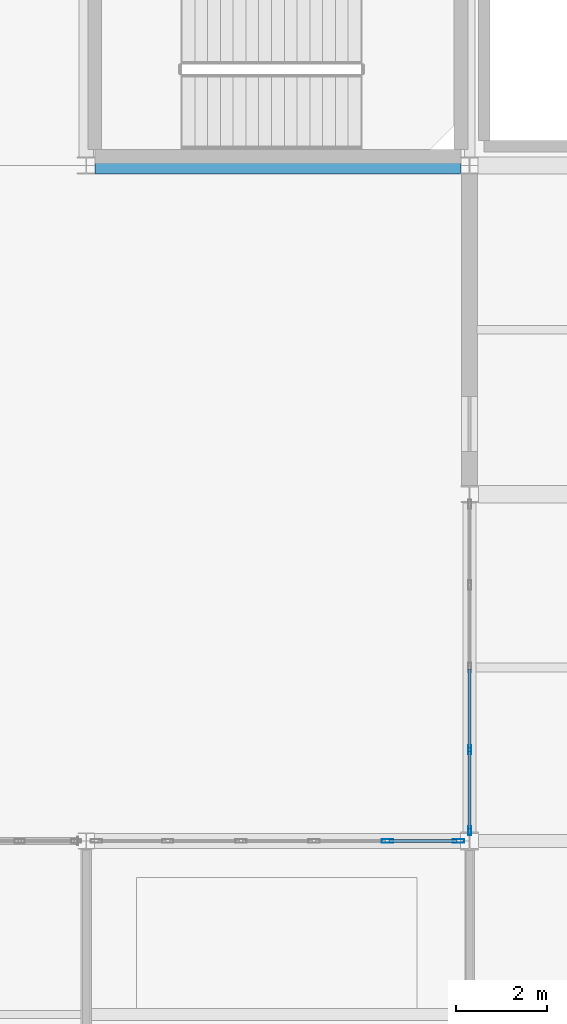
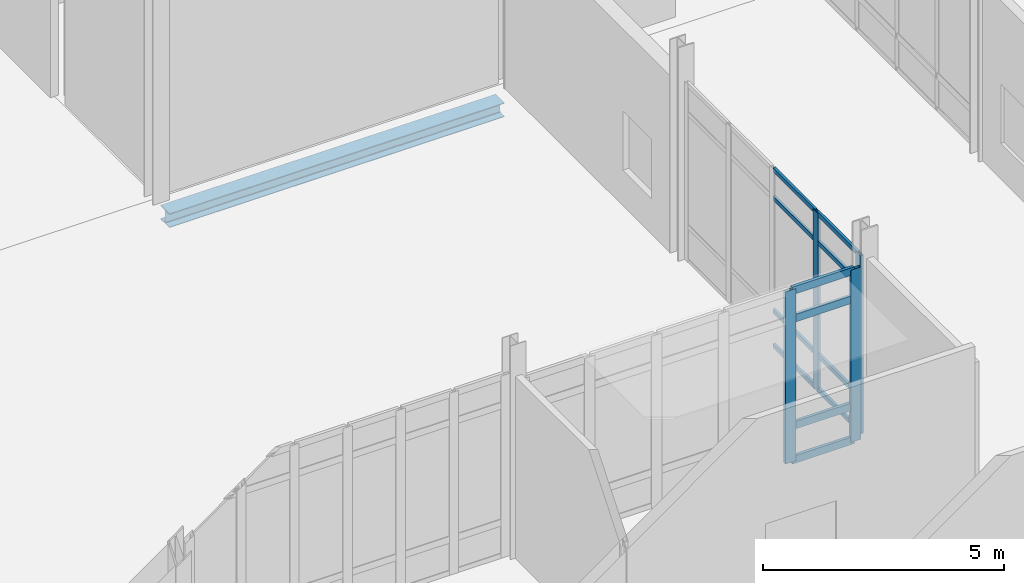
# One storey, part 106 of 229: 16 members, 1 beam, 2 elements without a shape of their own.
"""IFC4 building model written with IfcOpenShell, lengths in metres."""

from ifc_helpers import new_model, si_unit, direction, frame, origin, origin_2d, place, context, subcontext, project, spatial, hollow_rectangle, i_section, extrude, material, layer, layer_set, material_profile, profile_set, type_object, element, aggregate, save


model = new_model("IFC4")

# Units and contexts
model_context = context("Model", 3, precision=1e-05, world=origin(), true_north=direction((0.0, 1.0)))
body_context = subcontext(model_context, "Body", "Model", "MODEL_VIEW")
ifc_project = project(units=[si_unit("LENGTHUNIT", "METRE"), si_unit("AREAUNIT", "SQUARE_METRE"), si_unit("VOLUMEUNIT", "CUBIC_METRE"), si_unit("PLANEANGLEUNIT", "RADIAN"), si_unit("MASSUNIT", "GRAM", prefix="KILO")], contexts=[model_context])

# Site, building, storey
site_placement = place(None, origin())
site = spatial("IfcSite", under=ifc_project, at=site_placement, CompositionType="ELEMENT")
building_placement = place(site_placement, origin())
building = spatial("IfcBuilding", under=site, at=building_placement, Name="Calvrana Isthmian Art Gallery", CompositionType="ELEMENT")
storey_placement = place(building_placement, origin())
storey = spatial("IfcBuildingStorey", under=building, at=storey_placement, Name="L00", CompositionType="ELEMENT", Elevation=0.0)

# Beam
ifc_material_1 = material(Name="Steel ASTM A992 Gr 50", Category="steel")
ifc_material_profile_1 = material_profile(ifc_material_1, i_section(OverallWidth=0.367919921875, OverallDepth=0.35595703125, WebThickness=0.01123046875, FlangeThickness=0.01806640625, FilletRadius=0.02490234375, at=origin_2d()), Name="W14X90")
ifc_profile_set_1 = profile_set([ifc_material_profile_1], Name="Steel ASTM A992 Gr 50")
beam_type = type_object("IfcBeamType", Name="BM-SP-W14X90", PredefinedType="SPANDREL", material=ifc_profile_set_1)
beam_placement = place(storey_placement, frame((104.596923828125, 76.800048828125, -0.532958984375), z_axis=(1.0, 0.0, 0.0), x_axis=(0.0, 1.0, 0.0)))
element("IfcBeam", 1, at=beam_placement, inside=storey, type_object=beam_type, Name="Girder X L00 14-15/K", PredefinedType="SPANDREL", context=body_context, shape_type="SweptSolid", body=[
    extrude(i_section(OverallWidth=0.367919921875, OverallDepth=0.35595703125, WebThickness=0.01123046875, FlangeThickness=0.01806640625, FilletRadius=0.02490234375, at=origin_2d()), origin(), (0.0, 0.0, 1.0), 8.0166015625),
])

# Curtain wall, members
ifc_material_2 = material(Name="Anodized bronze aluminium 6063-T6", Category="aluminium")
ifc_layer_1 = layer(ifc_material_2, 0.179931640625, Name="Anodized bronze aluminium 6063-T6")
ifc_layer_set_1 = layer_set([ifc_layer_1], Name="Anodized bronze aluminium 6063-T6")
curtain_wall_type_1 = type_object("IfcCurtainWallType", Name="CW-STICK-072X45", PredefinedType="NOTDEFINED", material=ifc_layer_set_1)
curtain_wall_1_placement = place(storey_placement, origin())
curtain_wall_1 = element("IfcCurtainWall", 2, at=curtain_wall_1_placement, inside=storey, type_object=curtain_wall_type_1, Name="Curtain wall CW-075", PredefinedType="NOTDEFINED")
ifc_material_profile_2 = material_profile(ifc_material_2, hollow_rectangle(XDim=0.070068359375, YDim=0.199951171875, WallThickness=0.0048828125, at=origin_2d()), Name="CWM70X200")
ifc_profile_set_2 = profile_set([ifc_material_profile_2], Name="Anodized bronze aluminium 6063-T6")
member_type_1 = type_object("IfcMemberType", Name="CWM-CWM70X200", PredefinedType="MULLION", material=ifc_profile_set_2)
member_1_placement = place(storey_placement, frame((112.800048828125, 62.22802734375, 0.0), z_axis=(0.0, 0.0, 1.0), x_axis=(-1.0, 0.0, 0.0)))
member_1 = element("IfcMember", 3, at=member_1_placement, type_object=member_type_1, Name="CW-075 mullion 1", PredefinedType="MULLION", context=body_context, shape_type="SweptSolid", body=[
    extrude(hollow_rectangle(XDim=0.070068359375, YDim=0.199951171875, WallThickness=0.0048828125, at=origin_2d()), origin(), (0.0, 0.0, 1.0), 4.508056640625),
])
member_2_placement = place(storey_placement, frame((112.800048828125, 63.998046875, 0.0), z_axis=(0.0, 0.0, 1.0), x_axis=(-1.0, 0.0, 0.0)))
member_2 = element("IfcMember", 4, at=member_2_placement, type_object=member_type_1, Name="CW-075 mullion 2", PredefinedType="MULLION", context=body_context, shape_type="SweptSolid", body=[
    extrude(hollow_rectangle(XDim=0.070068359375, YDim=0.199951171875, WallThickness=0.0048828125, at=origin_2d()), origin(), (0.0, 0.0, 1.0), 4.508056640625),
])

ifc_layer_2 = layer(ifc_material_2, 0.179931640625, Name="Anodized bronze aluminium 6063-T6")
ifc_layer_set_2 = layer_set([ifc_layer_2], Name="Anodized bronze aluminium 6063-T6")
curtain_wall_type_2 = type_object("IfcCurtainWallType", Name="CW-UNIT-080X44", PredefinedType="USERDEFINED", material=ifc_layer_set_2)
curtain_wall_2_placement = place(storey_placement, origin())
curtain_wall_2 = element("IfcCurtainWall", 5, at=curtain_wall_2_placement, inside=storey, type_object=curtain_wall_type_2, Name="Curtain wall CW-029", ObjectType="UNITISED CURTAIN WALL", PredefinedType="USERDEFINED")
ifc_material_profile_3 = material_profile(ifc_material_2, hollow_rectangle(XDim=0.080078125, YDim=0.25, WallThickness=0.005615234375, at=origin_2d()), Name="CWM80X250")
ifc_profile_set_3 = profile_set([ifc_material_profile_3], Name="Anodized bronze aluminium 6063-T6")
member_type_2 = type_object("IfcMemberType", Name="CWM-CWM80X250", PredefinedType="MULLION", material=ifc_profile_set_3)
member_3_placement = place(storey_placement, frame((110.997314453125, 62.0, 0.0), z_axis=(0.0, 0.0, 1.0), x_axis=(0.0, 1.0, 0.0)))
member_3 = element("IfcMember", 6, at=member_3_placement, type_object=member_type_2, Name="CW-029 mullion 5", PredefinedType="MULLION", context=body_context, shape_type="SweptSolid", body=[
    extrude(hollow_rectangle(XDim=0.080078125, YDim=0.25, WallThickness=0.005615234375, at=origin_2d()), origin(), (0.0, 0.0, 1.0), 4.35791015625),
])
member_4_placement = place(storey_placement, frame((112.560546875, 62.0, 0.0), z_axis=(0.0, 0.0, 1.0), x_axis=(0.0, 1.0, 0.0)))
member_4 = element("IfcMember", 7, at=member_4_placement, type_object=member_type_2, Name="CW-029 mullion 6", PredefinedType="MULLION", context=body_context, shape_type="SweptSolid", body=[
    extrude(hollow_rectangle(XDim=0.080078125, YDim=0.25, WallThickness=0.005615234375, at=origin_2d()), origin(), (0.0, 0.0, 1.0), 4.35791015625),
])

# Member
ifc_material_profile_4 = material_profile(ifc_material_2, hollow_rectangle(XDim=0.06005859375, YDim=0.110107421875, WallThickness=0.00341796875, at=origin_2d()), Name="CWT60X110")
ifc_profile_set_4 = profile_set([ifc_material_profile_4], Name="Anodized bronze aluminium 6063-T6")
member_type_3 = type_object("IfcMemberType", Name="CWT-CWT60X110", PredefinedType="USERDEFINED", material=ifc_profile_set_4)
member_5_placement = place(storey_placement, frame((112.800048828125, 62.262939453125, 0.030029296875), z_axis=(0.0, 1.0, 0.0), x_axis=(-1.0, 0.0, 0.0)))
member_5 = element("IfcMember", 8, at=member_5_placement, type_object=member_type_3, Name="CW-075 transom 1.1", ObjectType="TRANSOM", PredefinedType="USERDEFINED", context=body_context, shape_type="SweptSolid", body=[
    extrude(hollow_rectangle(XDim=0.06005859375, YDim=0.110107421875, WallThickness=0.00341796875, at=origin_2d()), origin(), (0.0, 0.0, 1.0), 1.7001953125),
])

member_6_placement = place(storey_placement, frame((112.800048828125, 62.262939453125, 0.89990234375), z_axis=(0.0, 1.0, 0.0), x_axis=(-1.0, 0.0, 0.0)))
member_6 = element("IfcMember", 9, at=member_6_placement, type_object=member_type_3, Name="CW-075 transom 1.2", ObjectType="TRANSOM", PredefinedType="USERDEFINED", context=body_context, shape_type="SweptSolid", body=[
    extrude(hollow_rectangle(XDim=0.06005859375, YDim=0.110107421875, WallThickness=0.00341796875, at=origin_2d()), origin(), (0.0, 0.0, 1.0), 1.7001953125),
])

member_7_placement = place(storey_placement, frame((112.800048828125, 62.262939453125, 3.758056640625), z_axis=(0.0, 1.0, 0.0), x_axis=(-1.0, 0.0, 0.0)))
member_7 = element("IfcMember", 10, at=member_7_placement, type_object=member_type_3, Name="CW-075 transom 1.3", ObjectType="TRANSOM", PredefinedType="USERDEFINED", context=body_context, shape_type="SweptSolid", body=[
    extrude(hollow_rectangle(XDim=0.06005859375, YDim=0.110107421875, WallThickness=0.00341796875, at=origin_2d()), origin(), (0.0, 0.0, 1.0), 1.7001953125),
])

member_8_placement = place(storey_placement, frame((112.800048828125, 62.262939453125, 4.47802734375), z_axis=(0.0, 1.0, 0.0), x_axis=(-1.0, 0.0, 0.0)))
member_8 = element("IfcMember", 11, at=member_8_placement, type_object=member_type_3, Name="CW-075 transom 1.4", ObjectType="TRANSOM", PredefinedType="USERDEFINED", context=body_context, shape_type="SweptSolid", body=[
    extrude(hollow_rectangle(XDim=0.06005859375, YDim=0.110107421875, WallThickness=0.00341796875, at=origin_2d()), origin(), (0.0, 0.0, 1.0), 1.7001953125),
])

member_9_placement = place(storey_placement, frame((112.800048828125, 64.033203125, 0.030029296875), z_axis=(0.0, 1.0, 0.0), x_axis=(-1.0, 0.0, 0.0)))
member_9 = element("IfcMember", 12, at=member_9_placement, type_object=member_type_3, Name="CW-075 transom 2.1", ObjectType="TRANSOM", PredefinedType="USERDEFINED", context=body_context, shape_type="SweptSolid", body=[
    extrude(hollow_rectangle(XDim=0.06005859375, YDim=0.110107421875, WallThickness=0.00341796875, at=origin_2d()), origin(), (0.0, 0.0, 1.0), 1.735107421875),
])

member_10_placement = place(storey_placement, frame((112.800048828125, 64.033203125, 0.89990234375), z_axis=(0.0, 1.0, 0.0), x_axis=(-1.0, 0.0, 0.0)))
member_10 = element("IfcMember", 13, at=member_10_placement, type_object=member_type_3, Name="CW-075 transom 2.2", ObjectType="TRANSOM", PredefinedType="USERDEFINED", context=body_context, shape_type="SweptSolid", body=[
    extrude(hollow_rectangle(XDim=0.06005859375, YDim=0.110107421875, WallThickness=0.00341796875, at=origin_2d()), origin(), (0.0, 0.0, 1.0), 1.735107421875),
])

member_11_placement = place(storey_placement, frame((112.800048828125, 64.033203125, 3.758056640625), z_axis=(0.0, 1.0, 0.0), x_axis=(-1.0, 0.0, 0.0)))
member_11 = element("IfcMember", 14, at=member_11_placement, type_object=member_type_3, Name="CW-075 transom 2.3", ObjectType="TRANSOM", PredefinedType="USERDEFINED", context=body_context, shape_type="SweptSolid", body=[
    extrude(hollow_rectangle(XDim=0.06005859375, YDim=0.110107421875, WallThickness=0.00341796875, at=origin_2d()), origin(), (0.0, 0.0, 1.0), 1.735107421875),
])

member_12_placement = place(storey_placement, frame((112.800048828125, 64.033203125, 4.47802734375), z_axis=(0.0, 1.0, 0.0), x_axis=(-1.0, 0.0, 0.0)))
member_12 = element("IfcMember", 15, at=member_12_placement, type_object=member_type_3, Name="CW-075 transom 2.4", ObjectType="TRANSOM", PredefinedType="USERDEFINED", context=body_context, shape_type="SweptSolid", body=[
    extrude(hollow_rectangle(XDim=0.06005859375, YDim=0.110107421875, WallThickness=0.00341796875, at=origin_2d()), origin(), (0.0, 0.0, 1.0), 1.735107421875),
])

aggregate(curtain_wall_1, [member_1, member_2, member_5, member_6, member_7, member_8, member_9, member_10, member_11, member_12])

ifc_material_profile_5 = material_profile(ifc_material_2, hollow_rectangle(XDim=0.074951171875, YDim=0.18994140625, WallThickness=0.00439453125, at=origin_2d()), Name="CWT75X190")
ifc_profile_set_5 = profile_set([ifc_material_profile_5], Name="Anodized bronze aluminium 6063-T6")
member_type_4 = type_object("IfcMemberType", Name="CWT-CWT75X190", PredefinedType="USERDEFINED", material=ifc_profile_set_5)
member_13_placement = place(storey_placement, frame((111.037109375, 62.0, 0.03759765625), z_axis=(1.0, 0.0, 0.0), x_axis=(0.0, 1.0, 0.0)))
member_13 = element("IfcMember", 16, at=member_13_placement, type_object=member_type_4, Name="CW-029 transom 5.1", ObjectType="TRANSOM", PredefinedType="USERDEFINED", context=body_context, shape_type="SweptSolid", body=[
    extrude(hollow_rectangle(XDim=0.074951171875, YDim=0.18994140625, WallThickness=0.00439453125, at=origin_2d()), origin(), (0.0, 0.0, 1.0), 1.4833984375),
])

member_14_placement = place(storey_placement, frame((111.037109375, 62.0, 0.89990234375), z_axis=(1.0, 0.0, 0.0), x_axis=(0.0, 1.0, 0.0)))
member_14 = element("IfcMember", 17, at=member_14_placement, type_object=member_type_4, Name="CW-029 transom 5.2", ObjectType="TRANSOM", PredefinedType="USERDEFINED", context=body_context, shape_type="SweptSolid", body=[
    extrude(hollow_rectangle(XDim=0.074951171875, YDim=0.18994140625, WallThickness=0.00439453125, at=origin_2d()), origin(), (0.0, 0.0, 1.0), 1.4833984375),
])

member_15_placement = place(storey_placement, frame((111.037109375, 62.0, 3.60791015625), z_axis=(1.0, 0.0, 0.0), x_axis=(0.0, 1.0, 0.0)))
member_15 = element("IfcMember", 18, at=member_15_placement, type_object=member_type_4, Name="CW-029 transom 5.3", ObjectType="TRANSOM", PredefinedType="USERDEFINED", context=body_context, shape_type="SweptSolid", body=[
    extrude(hollow_rectangle(XDim=0.074951171875, YDim=0.18994140625, WallThickness=0.00439453125, at=origin_2d()), origin(), (0.0, 0.0, 1.0), 1.4833984375),
])

member_16_placement = place(storey_placement, frame((111.037109375, 62.0, 4.320556640625), z_axis=(1.0, 0.0, 0.0), x_axis=(0.0, 1.0, 0.0)))
member_16 = element("IfcMember", 19, at=member_16_placement, type_object=member_type_4, Name="CW-029 transom 5.4", ObjectType="TRANSOM", PredefinedType="USERDEFINED", context=body_context, shape_type="SweptSolid", body=[
    extrude(hollow_rectangle(XDim=0.074951171875, YDim=0.18994140625, WallThickness=0.00439453125, at=origin_2d()), origin(), (0.0, 0.0, 1.0), 1.4833984375),
])

aggregate(curtain_wall_2, [member_3, member_4, member_13, member_14, member_15, member_16])

save(model, "model.ifc")
